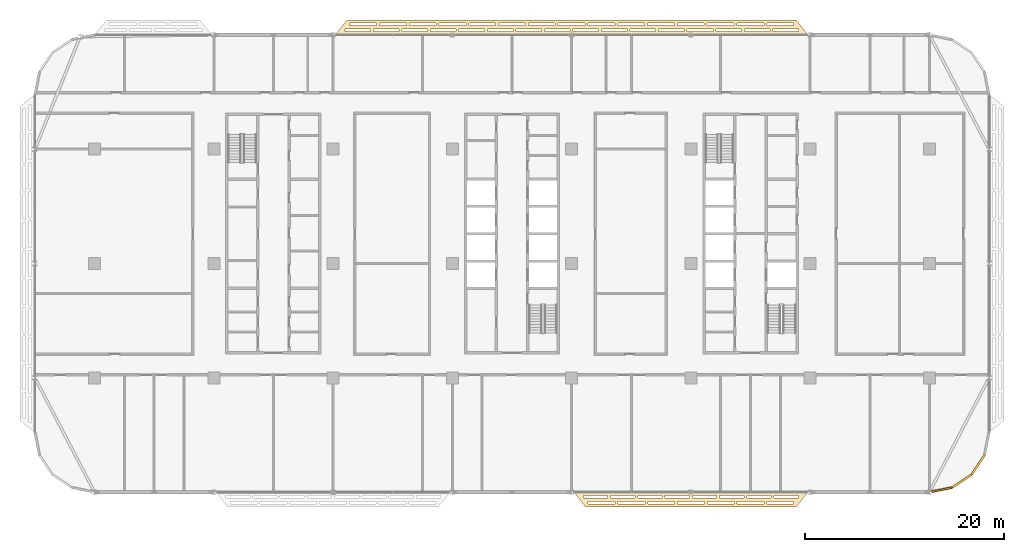
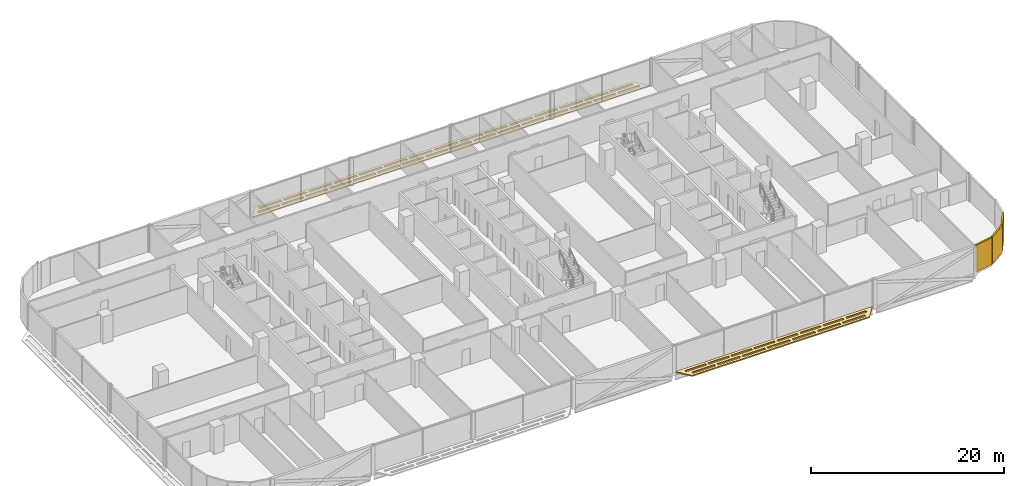
# One storey, part 26 of 28: 5 coverings.
"""IFC4 building model written with IfcOpenShell, lengths in metres."""

from ifc_helpers import new_model, si_unit, direction, frame, origin, origin_2d, place, context, subcontext, project, spatial, polyline, rectangle, outline, extrude, material, layer, layer_set, type_object, element, save


model = new_model("IFC4")

# Units and contexts
model_context = context("Model", 3, precision=1e-05, world=origin(), true_north=direction((0.0, 1.0)))
body_context = subcontext(model_context, "Body", "Model", "MODEL_VIEW")
ifc_project = project(units=[si_unit("LENGTHUNIT", "METRE"), si_unit("AREAUNIT", "SQUARE_METRE"), si_unit("VOLUMEUNIT", "CUBIC_METRE"), si_unit("PLANEANGLEUNIT", "RADIAN"), si_unit("MASSUNIT", "GRAM", prefix="KILO")], contexts=[model_context])

# Site, building, storey
site_placement = place(None, origin())
site = spatial("IfcSite", under=ifc_project, at=site_placement, CompositionType="ELEMENT")
building_placement = place(site_placement, origin())
building = spatial("IfcBuilding", under=site, at=building_placement, Name="Mahtab Terrace Research Tower", CompositionType="ELEMENT")
storey_placement = place(building_placement, frame((0.0, 0.0, 185.800048828125)))
storey = spatial("IfcBuildingStorey", under=building, at=storey_placement, Name="L44", CompositionType="ELEMENT", Elevation=185.800048828125)

# Coverings
ifc_material_1 = material(Name="Black aluminium cladding panel", Category="aluminium")
ifc_layer_1 = layer(ifc_material_1, 0.199951171875)
ifc_layer_set_1 = layer_set([ifc_layer_1], Name="Black metal corner cladding 200")
covering_type_1 = type_object("IfcCoveringType", Name="Black metal corner cladding 200", PredefinedType="CLADDING", material=ifc_layer_set_1)
covering_1_placement = place(storey_placement, frame((43.25830078125, -22.74951171875, 0.0), z_axis=(0.0, 0.0, 1.0), x_axis=(0.980760981187, 0.195212442692, 0.0)))
element("IfcCovering", 1, at=covering_1_placement, inside=storey, type_object=covering_type_1, Name="Corner cladding L44 30", PredefinedType="CLADDING", context=body_context, shape_type="SweptSolid", body=[
    extrude(rectangle(XDim=2.07666015625, YDim=0.199951171875, at=origin_2d()), origin(), (0.0, 0.0, 1.0), 3.39990234375),
])
for number, where, z_axis, x_axis, name in (
    (2, (45.26953125, -21.89306640625, 0.0), (0.0, 0.0, 1.0), (0.831655794326, 0.555291490808, 0.0), "Corner cladding L44 31"),
    (3, (46.89306640625, -20.26953125, 0.0), (0.0, 0.0, 1.0), (0.555291490808, 0.831655794326, 0.0), "Corner cladding L44 32"),
):
    element("IfcCovering", number, at=place(storey_placement, frame(where, z_axis=z_axis, x_axis=x_axis)), inside=storey, type_object=covering_type_1, Name=name, PredefinedType="CLADDING", context=body_context, shape_type="SweptSolid", body=[
        extrude(rectangle(XDim=2.30126953125, YDim=0.199951171875, at=origin_2d()), origin(), (0.0, 0.0, 1.0), 3.39990234375),
    ])
ifc_material_2 = material(Name="Black anodised aluminium", Category="aluminium")
ifc_layer_2 = layer(ifc_material_2, 0.14990234375)
ifc_layer_set_2 = layer_set([ifc_layer_2], Name="Horizontal sunshade band")
covering_type_2 = type_object("IfcCoveringType", Name="Horizontal sunshade band", PredefinedType="CLADDING", material=ifc_layer_set_2)
covering_2_placement = place(storey_placement, frame((0.0, 0.0, -0.150146484375)))
element("IfcCovering", 4, at=covering_2_placement, inside=storey, type_object=covering_type_2, Name="Sunshade band L44 4", PredefinedType="CLADDING", context=body_context, shape_type="SweptSolid", body=[
    extrude(outline(polyline([(29.7919921875, 23.0), (-17.7919921875, 23.0), (-16.592041015625, 24.5), (28.592041015625, 24.5), (29.7919921875, 23.0)]), holes=[polyline([(28.81201171875, 23.35009765625), (26.241943359375, 23.35009765625), (26.241943359375, 23.60009765625), (28.81201171875, 23.60009765625), (28.81201171875, 23.35009765625)]), polyline([(25.94189453125, 23.35009765625), (23.37109375, 23.35009765625), (23.37109375, 23.60009765625), (25.94189453125, 23.60009765625), (25.94189453125, 23.35009765625)]), polyline([(23.072021484375, 23.35009765625), (20.5009765625, 23.35009765625), (20.5009765625, 23.60009765625), (23.072021484375, 23.60009765625), (23.072021484375, 23.35009765625)]), polyline([(20.200927734375, 23.35009765625), (17.631103515625, 23.35009765625), (17.631103515625, 23.60009765625), (20.200927734375, 23.60009765625), (20.200927734375, 23.35009765625)]), polyline([(17.3310546875, 23.35009765625), (14.760986328125, 23.35009765625), (14.760986328125, 23.60009765625), (17.3310546875, 23.60009765625), (17.3310546875, 23.35009765625)]), polyline([(14.4609375, 23.35009765625), (11.889892578125, 23.35009765625), (11.889892578125, 23.60009765625), (14.4609375, 23.60009765625), (14.4609375, 23.35009765625)]), polyline([(11.590087890625, 23.35009765625), (9.02001953125, 23.35009765625), (9.02001953125, 23.60009765625), (11.590087890625, 23.60009765625), (11.590087890625, 23.35009765625)]), polyline([(8.719970703125, 23.35009765625), (6.14990234375, 23.35009765625), (6.14990234375, 23.60009765625), (8.719970703125, 23.60009765625), (8.719970703125, 23.35009765625)]), polyline([(5.85009765625, 23.35009765625), (3.280029296875, 23.35009765625), (3.280029296875, 23.60009765625), (5.85009765625, 23.60009765625), (5.85009765625, 23.35009765625)]), polyline([(2.97998046875, 23.35009765625), (0.408935546875, 23.35009765625), (0.408935546875, 23.60009765625), (2.97998046875, 23.60009765625), (2.97998046875, 23.35009765625)]), polyline([(0.10888671875, 23.35009765625), (-2.4609375, 23.35009765625), (-2.4609375, 23.60009765625), (0.10888671875, 23.60009765625), (0.10888671875, 23.35009765625)]), polyline([(-2.760986328125, 23.35009765625), (-5.3310546875, 23.35009765625), (-5.3310546875, 23.60009765625), (-2.760986328125, 23.60009765625), (-2.760986328125, 23.35009765625)]), polyline([(-5.631103515625, 23.35009765625), (-8.200927734375, 23.35009765625), (-8.200927734375, 23.60009765625), (-5.631103515625, 23.60009765625), (-5.631103515625, 23.35009765625)]), polyline([(-8.5009765625, 23.35009765625), (-11.072021484375, 23.35009765625), (-11.072021484375, 23.60009765625), (-8.5009765625, 23.60009765625), (-8.5009765625, 23.35009765625)]), polyline([(-11.3720703125, 23.35009765625), (-13.94189453125, 23.35009765625), (-13.94189453125, 23.60009765625), (-11.3720703125, 23.60009765625), (-11.3720703125, 23.35009765625)]), polyline([(-14.241943359375, 23.35009765625), (-16.81201171875, 23.35009765625), (-16.81201171875, 23.60009765625), (-14.241943359375, 23.60009765625), (-14.241943359375, 23.35009765625)]), polyline([(28.33203125, 23.949951171875), (25.634033203125, 23.949951171875), (25.634033203125, 24.199951171875), (28.33203125, 24.199951171875), (28.33203125, 23.949951171875)]), polyline([(25.333984375, 23.949951171875), (22.636962890625, 23.949951171875), (22.636962890625, 24.199951171875), (25.333984375, 24.199951171875), (25.333984375, 23.949951171875)]), polyline([(22.3369140625, 23.949951171875), (19.638916015625, 23.949951171875), (19.638916015625, 24.199951171875), (22.3369140625, 24.199951171875), (22.3369140625, 23.949951171875)]), polyline([(19.339111328125, 23.949951171875), (16.64208984375, 23.949951171875), (16.64208984375, 24.199951171875), (19.339111328125, 24.199951171875), (19.339111328125, 23.949951171875)]), polyline([(16.342041015625, 23.949951171875), (13.64404296875, 23.949951171875), (13.64404296875, 24.199951171875), (16.342041015625, 24.199951171875), (16.342041015625, 23.949951171875)]), polyline([(13.343994140625, 23.949951171875), (10.64599609375, 23.949951171875), (10.64599609375, 24.199951171875), (13.343994140625, 24.199951171875), (13.343994140625, 23.949951171875)]), polyline([(10.345947265625, 23.949951171875), (7.64892578125, 23.949951171875), (7.64892578125, 24.199951171875), (10.345947265625, 24.199951171875), (10.345947265625, 23.949951171875)]), polyline([(7.34912109375, 23.949951171875), (4.65087890625, 23.949951171875), (4.65087890625, 24.199951171875), (7.34912109375, 24.199951171875), (7.34912109375, 23.949951171875)]), polyline([(4.35107421875, 23.949951171875), (1.654052734375, 23.949951171875), (1.654052734375, 24.199951171875), (4.35107421875, 24.199951171875), (4.35107421875, 23.949951171875)]), polyline([(1.35400390625, 23.949951171875), (-1.343994140625, 23.949951171875), (-1.343994140625, 24.199951171875), (1.35400390625, 24.199951171875), (1.35400390625, 23.949951171875)]), polyline([(-1.64404296875, 23.949951171875), (-4.342041015625, 23.949951171875), (-4.342041015625, 24.199951171875), (-1.64404296875, 24.199951171875), (-1.64404296875, 23.949951171875)]), polyline([(-4.64208984375, 23.949951171875), (-7.339111328125, 23.949951171875), (-7.339111328125, 24.199951171875), (-4.64208984375, 24.199951171875), (-4.64208984375, 23.949951171875)]), polyline([(-7.638916015625, 23.949951171875), (-10.3369140625, 23.949951171875), (-10.3369140625, 24.199951171875), (-7.638916015625, 24.199951171875), (-7.638916015625, 23.949951171875)]), polyline([(-10.636962890625, 23.949951171875), (-13.333984375, 23.949951171875), (-13.333984375, 24.199951171875), (-10.636962890625, 24.199951171875), (-10.636962890625, 23.949951171875)]), polyline([(-13.634033203125, 23.949951171875), (-16.33203125, 23.949951171875), (-16.33203125, 24.199951171875), (-13.634033203125, 24.199951171875), (-13.634033203125, 23.949951171875)])]), origin(), (0.0, 0.0, 1.0), 0.150146484375),
])
covering_3_placement = place(storey_placement, frame((0.0, 0.0, -0.150146484375)))
element("IfcCovering", 5, at=covering_3_placement, inside=storey, type_object=covering_type_2, Name="Sunshade band L44 27", PredefinedType="CLADDING", context=body_context, shape_type="SweptSolid", body=[
    extrude(outline(polyline([(6.2080078125, -23.0), (29.7919921875, -23.0), (28.592041015625, -24.5), (7.407958984375, -24.5), (6.2080078125, -23.0)]), holes=[polyline([(7.18798828125, -23.35009765625), (9.6279296875, -23.35009765625), (9.6279296875, -23.60009765625), (7.18798828125, -23.60009765625), (7.18798828125, -23.35009765625)]), polyline([(9.927978515625, -23.35009765625), (12.368896484375, -23.35009765625), (12.368896484375, -23.60009765625), (9.927978515625, -23.60009765625), (9.927978515625, -23.35009765625)]), polyline([(12.6689453125, -23.35009765625), (15.10888671875, -23.35009765625), (15.10888671875, -23.60009765625), (12.6689453125, -23.60009765625), (12.6689453125, -23.35009765625)]), polyline([(15.408935546875, -23.35009765625), (17.85009765625, -23.35009765625), (17.85009765625, -23.60009765625), (15.408935546875, -23.60009765625), (15.408935546875, -23.35009765625)]), polyline([(18.14990234375, -23.35009765625), (20.590087890625, -23.35009765625), (20.590087890625, -23.60009765625), (18.14990234375, -23.60009765625), (18.14990234375, -23.35009765625)]), polyline([(20.889892578125, -23.35009765625), (23.3310546875, -23.35009765625), (23.3310546875, -23.60009765625), (20.889892578125, -23.60009765625), (20.889892578125, -23.35009765625)]), polyline([(23.631103515625, -23.35009765625), (26.072021484375, -23.35009765625), (26.072021484375, -23.60009765625), (23.631103515625, -23.60009765625), (23.631103515625, -23.35009765625)]), polyline([(26.37109375, -23.35009765625), (28.81201171875, -23.35009765625), (28.81201171875, -23.60009765625), (26.37109375, -23.60009765625), (26.37109375, -23.35009765625)]), polyline([(7.66796875, -23.949951171875), (10.363037109375, -23.949951171875), (10.363037109375, -24.199951171875), (7.66796875, -24.199951171875), (7.66796875, -23.949951171875)]), polyline([(10.6630859375, -23.949951171875), (13.35791015625, -23.949951171875), (13.35791015625, -24.199951171875), (10.6630859375, -24.199951171875), (10.6630859375, -23.949951171875)]), polyline([(13.657958984375, -23.949951171875), (16.35302734375, -23.949951171875), (16.35302734375, -24.199951171875), (13.657958984375, -24.199951171875), (13.657958984375, -23.949951171875)]), polyline([(16.653076171875, -23.949951171875), (19.346923828125, -23.949951171875), (19.346923828125, -24.199951171875), (16.653076171875, -24.199951171875), (16.653076171875, -23.949951171875)]), polyline([(19.64697265625, -23.949951171875), (22.342041015625, -23.949951171875), (22.342041015625, -24.199951171875), (19.64697265625, -24.199951171875), (19.64697265625, -23.949951171875)]), polyline([(22.64208984375, -23.949951171875), (25.3369140625, -23.949951171875), (25.3369140625, -24.199951171875), (22.64208984375, -24.199951171875), (22.64208984375, -23.949951171875)]), polyline([(25.636962890625, -23.949951171875), (28.33203125, -23.949951171875), (28.33203125, -24.199951171875), (25.636962890625, -24.199951171875), (25.636962890625, -23.949951171875)])]), origin(), (0.0, 0.0, 1.0), 0.150146484375),
])

save(model, "model.ifc")
